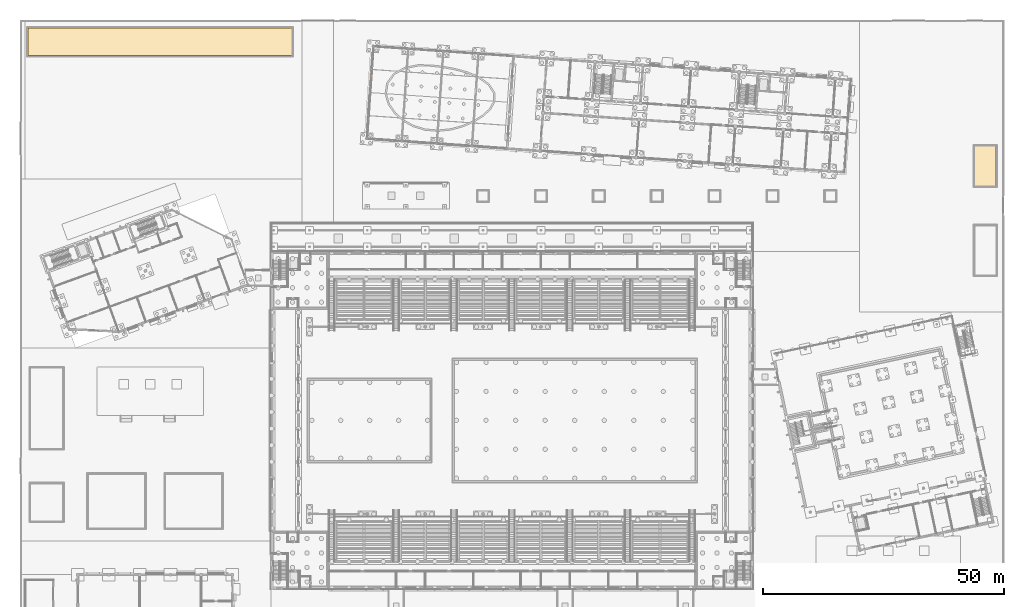
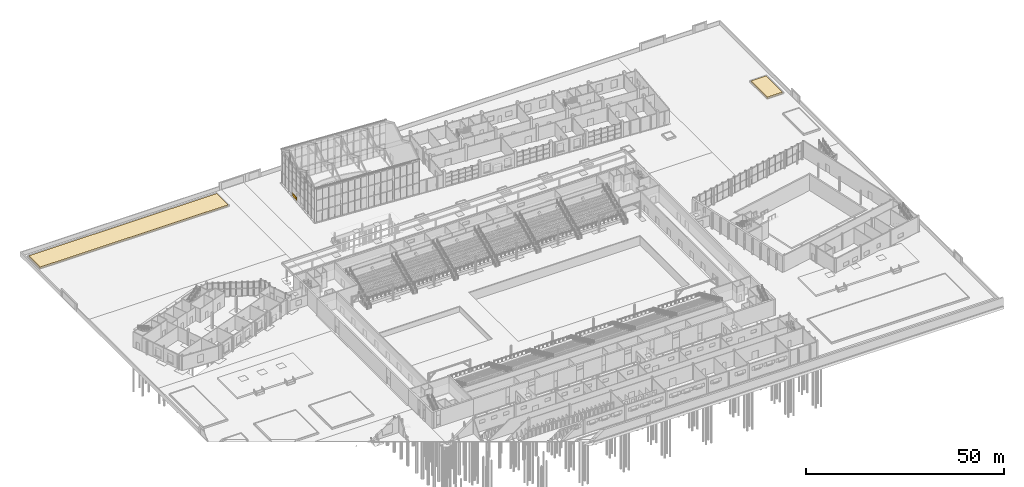
# One storey, part 155 of 157: 3 coverings.
"""IFC4 building model written with IfcOpenShell, lengths in metres."""

import ifcopenshell
import ifcopenshell.guid

model = None  # the IFC model being written
_history = None  # IfcOwnerHistory: only IFC2X3 demands one
_inside = {}  # id of a spatial element -> (the spatial element, [elements in it])
_under = {}  # id of a project, library or spatial element -> (it, [spatial elements below it])
_declared = {}  # id of a project -> (the project, [libraries it declares])
_typed = {}  # id of a type object -> (the type object, [elements of that type])
_made_of = {}  # id of a material, layer set ... -> (it, [elements and type objects made of it])


def new_model(schema):
    """Start an empty IFC model of exactly this schema.

    Asked for "IFC4X3", IfcOpenShell would pick the latest addendum, in which some entities
    have other attributes; the version numbers below select the first issue.
    IFC2X3 requires an IfcOwnerHistory on every rooted entity: one is made here for all.
    """
    global model, _history
    if schema == "IFC4X3":
        model = ifcopenshell.file(schema_version=(4, 3, 0, 0))
    else:
        model = ifcopenshell.file(schema=schema)
    _inside.clear()
    _under.clear()
    _declared.clear()
    _typed.clear()
    _made_of.clear()
    _history = None
    if model.schema == "IFC2X3":
        org = make("IfcOrganization", Name="unknown")
        user = make(
            "IfcPersonAndOrganization",
            ThePerson=make("IfcPerson", FamilyName="unknown"),
            TheOrganization=org,
        )
        app = make(
            "IfcApplication",
            ApplicationDeveloper=org,
            Version="unknown",
            ApplicationFullName="unknown",
            ApplicationIdentifier="unknown",
        )
        _history = make(
            "IfcOwnerHistory",
            OwningUser=user,
            OwningApplication=app,
            ChangeAction="ADDED",
            CreationDate=0,
        )
    return model


def make(cls, **values):
    """One entity of the class cls with the attributes given. An attribute that is None is left unset."""
    return model.create_entity(
        cls, **{name: value for name, value in values.items() if value is not None}
    )


def rooted(cls, **values):
    """An entity with a GlobalId (a new one), such as an element, a storey or a relation."""
    return make(cls, GlobalId=ifcopenshell.guid.new(), OwnerHistory=_history, **values)


def si_unit(unit_type, name, prefix=None):
    """IfcSIUnit, for example si_unit("LENGTHUNIT", "METRE", prefix="MILLI")."""
    return make("IfcSIUnit", UnitType=unit_type, Prefix=prefix, Name=name)


def assignment(units):
    """IfcUnitAssignment: the units of a project."""
    return None if units is None else make("IfcUnitAssignment", Units=units)


def point(xyz):
    """IfcCartesianPoint."""
    return None if xyz is None else make("IfcCartesianPoint", Coordinates=xyz)


def direction(xyz):
    """IfcDirection."""
    return None if xyz is None else make("IfcDirection", DirectionRatios=xyz)


def frame(location, z_axis=None, x_axis=None):
    """IfcAxis2Placement3D, a coordinate frame: its origin and axes. An axis left out is left unset."""
    return make(
        "IfcAxis2Placement3D",
        Location=point(location),
        Axis=direction(z_axis),
        RefDirection=direction(x_axis),
    )


def origin():
    """The frame at (0, 0, 0) with its axes left unset."""
    return frame((0.0, 0.0, 0.0))


def place(relative_to, where):
    """IfcLocalPlacement: puts the frame where relative to a parent placement (None: the world)."""
    return make(
        "IfcLocalPlacement", PlacementRelTo=relative_to, RelativePlacement=where
    )


def context(
    kind, dimensions, precision=None, world=None, true_north=None, identifier=None
):
    """IfcGeometricRepresentationContext, for example the 3D "Model" context."""
    return make(
        "IfcGeometricRepresentationContext",
        ContextIdentifier=identifier,
        ContextType=kind,
        CoordinateSpaceDimension=dimensions,
        Precision=precision,
        WorldCoordinateSystem=world,
        TrueNorth=true_north,
    )


def subcontext(parent, identifier, kind, view, scale=None):
    """IfcGeometricRepresentationSubContext, for example "Body" below "Model"."""
    return make(
        "IfcGeometricRepresentationSubContext",
        ContextIdentifier=identifier,
        ContextType=kind,
        ParentContext=parent,
        TargetScale=scale,
        TargetView=view,
    )


def project(units=None, contexts=None):
    """IfcProject with its units and contexts."""
    return rooted(
        "IfcProject",
        Name="project",
        RepresentationContexts=contexts,
        UnitsInContext=assignment(units),
    )


def spatial(cls, under=None, at=None, **own):
    """A site, building, storey or space (cls), placed at a placement, below another one or the project."""
    s = rooted(cls, ObjectPlacement=at, **own)
    if under is not None:
        _under.setdefault(under.id(), (under, []))[1].append(s)
    return s


def polyline(points):
    """IfcPolyline through the points."""
    return make("IfcPolyline", Points=[point(p) for p in points])


def outline(outer, holes=None, kind="AREA"):
    """IfcArbitraryClosedProfileDef: a profile drawn as a closed curve; with holes, ...WithVoids."""
    if holes is None:
        return make("IfcArbitraryClosedProfileDef", ProfileType=kind, OuterCurve=outer)
    return make(
        "IfcArbitraryProfileDefWithVoids",
        ProfileType=kind,
        OuterCurve=outer,
        InnerCurves=holes,
    )


def extrude(swept, where, along, depth):
    """IfcExtrudedAreaSolid: the profile swept, set in the frame where, extruded along a direction by depth."""
    return make(
        "IfcExtrudedAreaSolid",
        SweptArea=swept,
        Position=where,
        ExtrudedDirection=direction(along),
        Depth=depth,
    )


def shape(context_of_items, identifier, shape_type, items):
    """IfcShapeRepresentation: the items that make up one representation, for example the "Body"."""
    return make(
        "IfcShapeRepresentation",
        ContextOfItems=context_of_items,
        RepresentationIdentifier=identifier,
        RepresentationType=shape_type,
        Items=items,
    )


def material(Name=None, Category=None):
    """IfcMaterial."""
    return make("IfcMaterial", Name=Name, Category=Category)


def layer(
    of_material, thickness, ventilated=None, Name=None, Category=None, Priority=None
):
    """IfcMaterialLayer: one layer of a wall or slab, of a material (None: an air gap)."""
    return make(
        "IfcMaterialLayer",
        Material=of_material,
        LayerThickness=thickness,
        IsVentilated=ventilated,
        Name=Name,
        Category=Category,
        Priority=Priority,
    )


def layer_set(layers, Name=None):
    """IfcMaterialLayerSet."""
    return make("IfcMaterialLayerSet", MaterialLayers=layers, LayerSetName=Name)


def made_of(thing, what):
    """Note that an element or type object is made of a material, layer set ...; save() writes the relation."""
    if what is not None:
        _made_of.setdefault(what.id(), (what, []))[1].append(thing)
    return thing


def type_object(cls, material=None, **own):
    """A type object (cls), such as IfcWallType, which elements share."""
    return made_of(rooted(cls, **own), material)


def element(
    cls,
    number,
    at=None,
    inside=None,
    cuts=None,
    type_object=None,
    material=None,
    context=None,
    identifier="Body",
    shape_type=None,
    held_by="IfcProductDefinitionShape",
    body=None,
    shapes=None,
    **own,
):
    """One element of the class cls, such as IfcWall. Its Tag is "e" and its number.

    at: its placement. inside: the storey or other place that contains it. cuts: it is an
    opening in that element (IfcRelVoidsElement). A single representation is given by context,
    identifier, shape_type and body (its items); several are given by shapes. held_by: the class
    of the entity that holds the representations. save() writes the other relations.
    """
    e = rooted(cls, Tag="e%d" % number, ObjectPlacement=at, **own)
    if body is not None:
        shapes = [shape(context, identifier, shape_type, body)]
    if shapes is not None:
        e.Representation = make(held_by, Representations=shapes)
    if inside is not None:
        _inside.setdefault(inside.id(), (inside, []))[1].append(e)
    if cuts is not None:
        rooted(
            "IfcRelVoidsElement", RelatingBuildingElement=cuts, RelatedOpeningElement=e
        )
    if type_object is not None:
        _typed.setdefault(type_object.id(), (type_object, []))[1].append(e)
    return made_of(e, material)


def aggregate(whole, parts):
    """IfcRelAggregates: a whole, such as a stair, and the parts it consists of."""
    return rooted("IfcRelAggregates", RelatingObject=whole, RelatedObjects=parts)


def save(model, path):
    """Write the relations noted so far, then the file.

    IfcRelAggregates (storeys below a building ...), IfcRelContainedInSpatialStructure (elements
    in a storey), IfcRelDefinesByType, IfcRelAssociatesMaterial and IfcRelDeclares: one each for
    every whole, place, type object, material and project.
    """
    for whole, parts in _under.values():
        aggregate(whole, parts)
    for where, things in _inside.values():
        rooted(
            "IfcRelContainedInSpatialStructure",
            RelatedElements=things,
            RelatingStructure=where,
        )
    for kind, things in _typed.values():
        rooted("IfcRelDefinesByType", RelatedObjects=things, RelatingType=kind)
    for what, things in _made_of.values():
        rooted("IfcRelAssociatesMaterial", RelatedObjects=things, RelatingMaterial=what)
    for by, libraries in _declared.values():
        rooted("IfcRelDeclares", RelatingContext=by, RelatedDefinitions=libraries)
    model.write(path)


model = new_model("IFC4")

# Units and contexts
model_context = context("Model", 3, precision=1e-05, world=origin(), true_north=direction((0.0, 1.0)))
body_context = subcontext(model_context, "Body", "Model", "MODEL_VIEW")
ifc_project = project(units=[si_unit("LENGTHUNIT", "METRE"), si_unit("AREAUNIT", "SQUARE_METRE"), si_unit("VOLUMEUNIT", "CUBIC_METRE"), si_unit("PLANEANGLEUNIT", "RADIAN"), si_unit("MASSUNIT", "GRAM", prefix="KILO")], contexts=[model_context])

# Site, building, storey
site_placement = place(None, origin())
site = spatial("IfcSite", under=ifc_project, at=site_placement, CompositionType="ELEMENT")
building_placement = place(site_placement, origin())
building = spatial("IfcBuilding", under=site, at=building_placement, Name="Windward Yard Aquatics Centre", CompositionType="ELEMENT")
storey_placement = place(building_placement, origin())
storey = spatial("IfcBuildingStorey", under=building, at=storey_placement, Name="L00", CompositionType="ELEMENT", Elevation=0.0)

# Coverings
ifc_material_1 = material(Name="Limestone cladding on stainless steel brackets", Category="masonry")
ifc_layer_1 = layer(ifc_material_1, 0.0400390625)
ifc_layer_set_1 = layer_set([ifc_layer_1], Name="W stone plinth cladding 40")
covering_type_1 = type_object("IfcCoveringType", Name="W stone plinth cladding 40", PredefinedType="CLADDING", material=ifc_layer_set_1)
covering_1_placement = place(storey_placement, origin())
element("IfcCovering", 1, at=covering_1_placement, inside=storey, type_object=covering_type_1, Name="Plinth cladding panel 30", PredefinedType="CLADDING", context=body_context, shape_type="SweptSolid", body=[
    extrude(outline(polyline([(72.566650390625, 130.15966796875), (72.606689453125, 130.156982421875), (72.76708984375, 132.451171875), (72.72705078125, 132.4541015625), (72.566650390625, 130.15966796875)])), origin(), (0.0, 0.0, 1.0), 0.97998046875),
])
ifc_material_2 = material(Name="Planting soil")
ifc_layer_2 = layer(ifc_material_2, 0.448, Name="Planting")
ifc_material_3 = material(Name="Filter fabric")
ifc_layer_3 = layer(ifc_material_3, 0.002, Name="Filter")
ifc_material_4 = material(Name="Drainage board")
ifc_layer_4 = layer(ifc_material_4, 0.05, Name="Drainage")
ifc_layer_set_2 = layer_set([ifc_layer_2, ifc_layer_3, ifc_layer_4], Name="X Planting Bed Soil 400")
covering_type_2 = type_object("IfcCoveringType", Name="X Planting Bed Soil 400", PredefinedType="USERDEFINED", material=ifc_layer_set_2)
covering_2_placement = place(storey_placement, frame((0.0, 0.0, -0.10009765625)))
element("IfcCovering", 2, at=covering_2_placement, inside=storey, type_object=covering_type_2, Name="Car park planting strip", ObjectType="PLANTING BED", PredefinedType="USERDEFINED", context=body_context, shape_type="SweptSolid", body=[
    extrude(outline(polyline([(1.625, 136.625), (56.375, 136.625), (56.375, 142.375), (1.625, 142.375), (1.625, 136.625)])), origin(), (0.0, 0.0, 1.0), 0.5),
])
covering_3_placement = place(storey_placement, frame((0.0, 0.0, -0.10009765625)))
element("IfcCovering", 3, at=covering_3_placement, inside=storey, type_object=covering_type_2, Name="East forecourt planting north", ObjectType="PLANTING BED", PredefinedType="USERDEFINED", context=body_context, shape_type="SweptSolid", body=[
    extrude(outline(polyline([(197.925048828125, 109.625), (202.375, 109.625), (202.375, 117.875), (197.925048828125, 117.875), (197.925048828125, 109.625)])), origin(), (0.0, 0.0, 1.0), 0.5),
])

save(model, "model.ifc")
